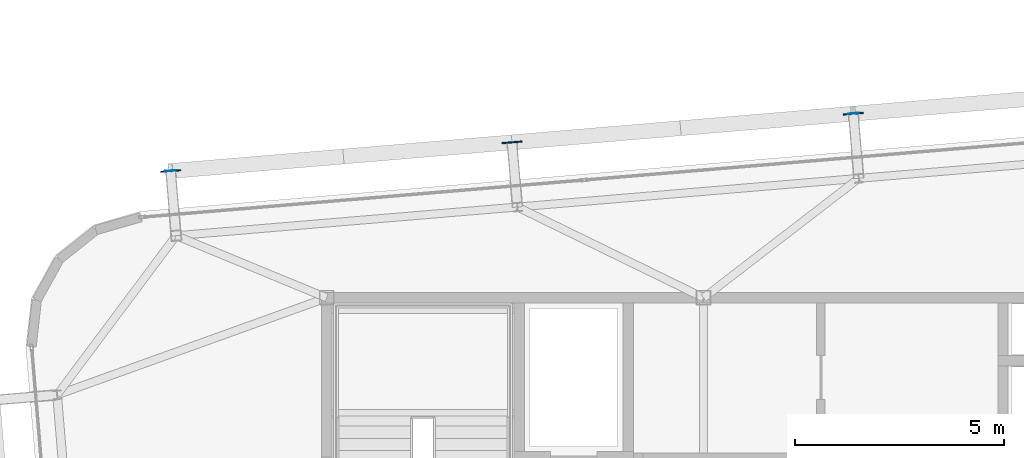
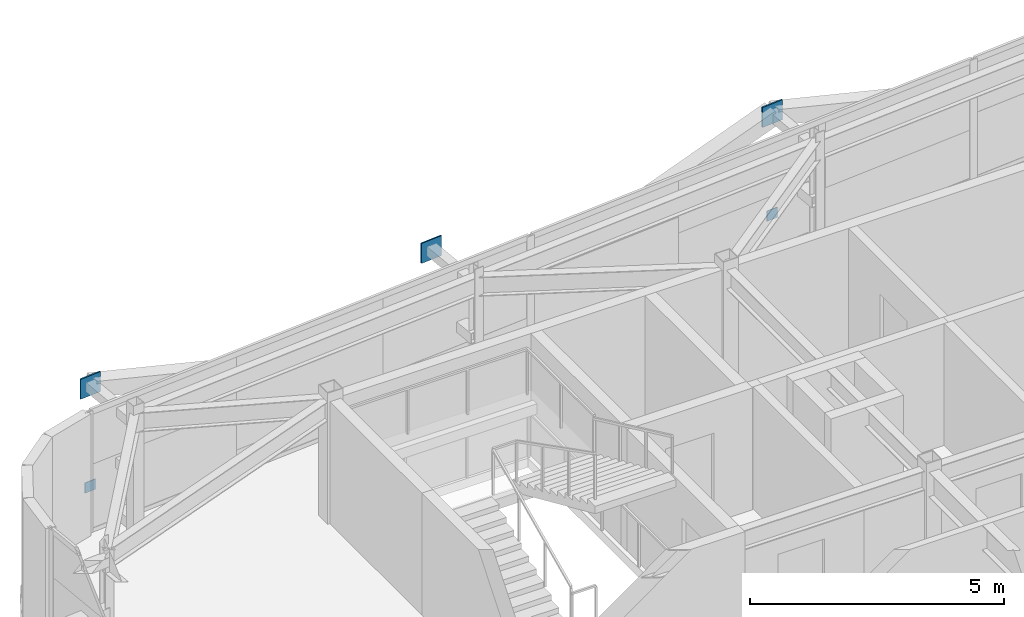
# One storey, part 31 of 37: 5 plates.
"""IFC4 building model written with IfcOpenShell, lengths in metres."""

from ifc_helpers import new_model, si_unit, direction, frame, origin, origin_2d, place, context, subcontext, project, spatial, rectangle, extrude, source, transform, mapped, material, layer, layer_set, type_object, element, save


model = new_model("IFC4")

# Units and contexts
model_context = context("Model", 3, precision=1e-05, world=origin(), true_north=direction((0.0, 1.0)))
body_context = subcontext(model_context, "Body", "Model", "MODEL_VIEW")
ifc_project = project(units=[si_unit("LENGTHUNIT", "METRE"), si_unit("AREAUNIT", "SQUARE_METRE"), si_unit("VOLUMEUNIT", "CUBIC_METRE"), si_unit("PLANEANGLEUNIT", "RADIAN"), si_unit("MASSUNIT", "GRAM", prefix="KILO")], contexts=[model_context])

# Site, building, storey
site_placement = place(None, origin())
site = spatial("IfcSite", under=ifc_project, at=site_placement, CompositionType="ELEMENT")
building_placement = place(site_placement, origin())
building = spatial("IfcBuilding", under=site, at=building_placement, Name="Taldren Reach Tower", CompositionType="ELEMENT")
storey_placement = place(building_placement, frame((0.0, 0.0, 200.89990234375)))
storey = spatial("IfcBuildingStorey", under=building, at=storey_placement, Name="L61", CompositionType="ELEMENT", Elevation=200.89990234375)

# Plates
ifc_material_1 = material(Name="Steel Gr 350 (C350L0)", Category="steel")
ifc_layer_1 = layer(ifc_material_1, 0.011962890625)
ifc_layer_set_1 = layer_set([ifc_layer_1], Name="Steel Gr 350 (C350L0)")
plate_type_1 = type_object("IfcPlateType", Name="PL-CAP-250", PredefinedType="SHEET", material=ifc_layer_set_1)
shared_shape_1 = source(origin(), body_context, "Body", "SweptSolid", [
    extrude(rectangle(XDim=0.25, YDim=0.011962890625, at=origin_2d()), origin(), (0.0, 0.0, 1.0), 0.25),
])
for number, where, z_axis, x_axis, name in (
    (1, (15.273681640625, 35.0341796875, 0.09521484375), (0.0, 0.0, 1.0), (0.99649285925, 0.083677843332, 0.0), "Tie strut end cap plate B4-N1 L61"),
    (2, (31.576171875, 36.403076171875, 0.09521484375), (0.0, 0.0, 1.0), (0.99649285925, 0.083677843332, 0.0), "Tie strut end cap plate B4-N3 L61"),
):
    element("IfcPlate", number, at=place(storey_placement, frame(where, z_axis=z_axis, x_axis=x_axis)), inside=storey, type_object=plate_type_1, Name=name, PredefinedType="SHEET", context=body_context, shape_type="MappedRepresentation", body=[
        mapped(shared_shape_1, transform((0.0, 0.0, 0.0), scale=1.0)),
    ])
ifc_material_2 = material(Name="Steel Gr 450 (C450L0)", Category="steel")
ifc_layer_2 = layer(ifc_material_2, 0.031982421875)
ifc_layer_set_2 = layer_set([ifc_layer_2], Name="Steel Gr 450 (C450L0)")
plate_type_2 = type_object("IfcPlateType", Name="PL-GUSSET-32", PredefinedType="SHEET", material=ifc_layer_set_2)
shared_shape_2 = source(origin(), body_context, "Body", "SweptSolid", [
    extrude(rectangle(XDim=0.47998046875, YDim=0.031982421875, at=origin_2d()), origin(), (0.0, 0.0, 1.0), 0.47998046875),
])
for number, where, z_axis, x_axis, name in (
    (3, (15.274169921875, 35.028076171875, 2.41015625), (0.0, 0.0, 1.0), (0.99649285925, 0.083677843332, 0.0), "Exoskeleton star-node gusset plate B4-N1 L61"),
    (4, (23.42529296875, 35.712646484375, 2.41015625), (0.0, 0.0, 1.0), (0.99649285925, 0.083677843332, 0.0), "Exoskeleton star-node gusset plate B4-N2 L61"),
    (5, (31.57666015625, 36.39697265625, 2.41015625), (0.0, 0.0, 1.0), (0.99649285925, 0.083677843332, 0.0), "Exoskeleton star-node gusset plate B4-N3 L61"),
):
    element("IfcPlate", number, at=place(storey_placement, frame(where, z_axis=z_axis, x_axis=x_axis)), inside=storey, type_object=plate_type_2, Name=name, PredefinedType="SHEET", context=body_context, shape_type="MappedRepresentation", body=[
        mapped(shared_shape_2, transform((0.0, 0.0, 0.0), scale=1.0)),
    ])

save(model, "model.ifc")
